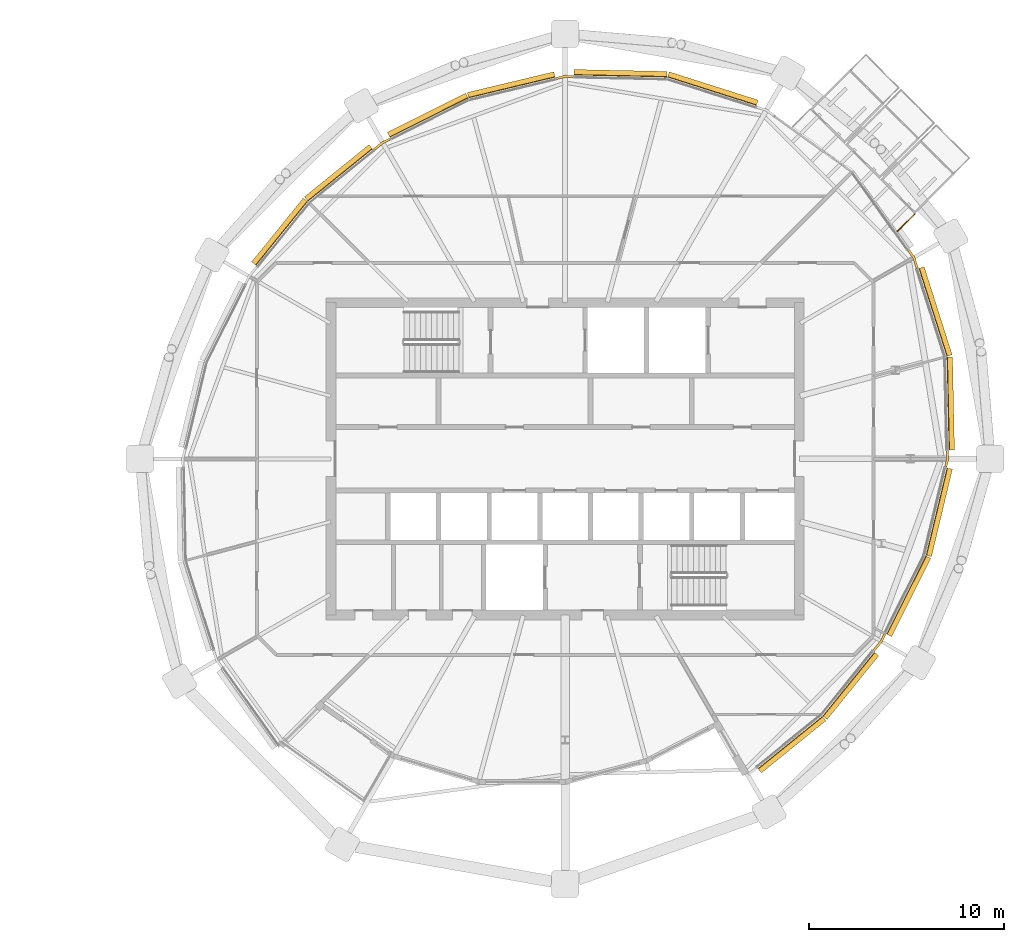
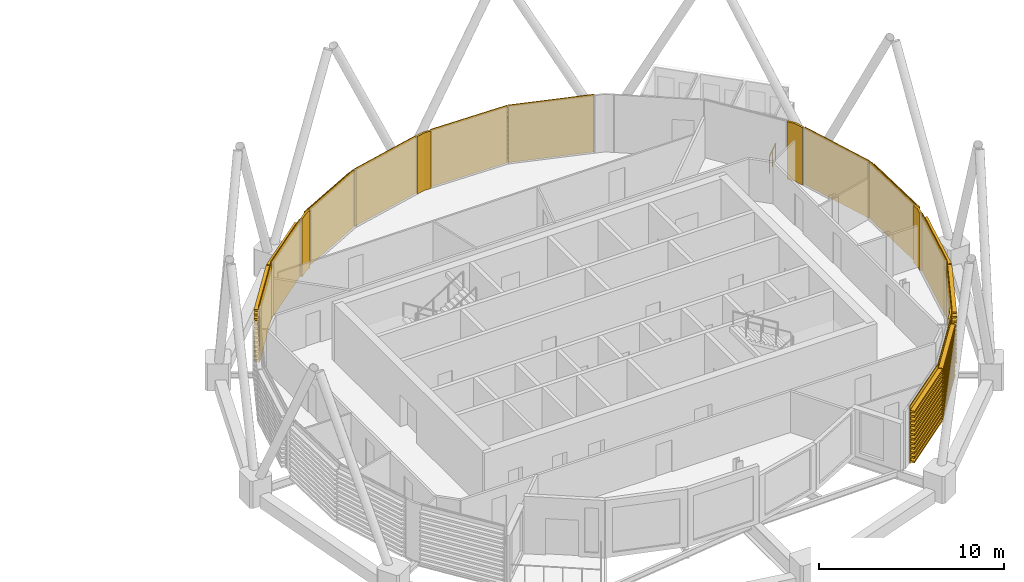
# One storey, part 33 of 34: 17 coverings, 1 railing.
"""IFC4 building model written with IfcOpenShell, lengths in metres."""

from ifc_helpers import new_model, si_unit, direction, frame, origin, origin_2d, place, context, subcontext, project, spatial, polyline, circle, outline, extrude, material, layer, layer_set, material_profile, profile_set, type_object, element, save


model = new_model("IFC4")

# Units and contexts
model_context = context("Model", 3, precision=1e-05, world=origin(), true_north=direction((0.0, 1.0)))
body_context = subcontext(model_context, "Body", "Model", "MODEL_VIEW")
ifc_project = project(units=[si_unit("LENGTHUNIT", "METRE"), si_unit("AREAUNIT", "SQUARE_METRE"), si_unit("VOLUMEUNIT", "CUBIC_METRE"), si_unit("PLANEANGLEUNIT", "RADIAN"), si_unit("MASSUNIT", "GRAM", prefix="KILO")], contexts=[model_context])

# Site, building, storey
site_placement = place(None, origin())
site = spatial("IfcSite", under=ifc_project, at=site_placement, CompositionType="ELEMENT")
building_placement = place(site_placement, origin())
building = spatial("IfcBuilding", under=site, at=building_placement, Name="Rimbun Link Towers", CompositionType="ELEMENT")
storey_placement = place(building_placement, frame((0.0, 0.0, 221.89990234375)))
storey = spatial("IfcBuildingStorey", under=building, at=storey_placement, Name="L54", CompositionType="ELEMENT", Elevation=221.89990234375)

# Railing
ifc_material_1 = material(Name="Stainless steel grade 316", Category="steel")
railing_type = type_object("IfcRailingType", Name="GUARD stainless rail and posts", PredefinedType="GUARDRAIL", material=ifc_material_1)
railing_placement = place(storey_placement, frame((49.66845703125, 12.54443359375, 0.0)))
element("IfcRailing", 1, at=railing_placement, inside=storey, type_object=railing_type, Name="GUARD D542 gallery", PredefinedType="GUARDRAIL", context=body_context, shape_type="SweptSolid", body=[
    extrude(circle(Radius=0.02392578125, at=origin_2d()), frame((0.0, 0.0, 1.076171875), z_axis=(-0.707106781187, -0.707106781187, 0.0), x_axis=(0.707106781187, -0.707106781187, 0.0)), (0.0, 0.0, 1.0), 1.272705078125),
    extrude(circle(Radius=0.02099609375, at=origin_2d()), origin(), (0.0, 0.0, 1.0), 1.052001953125),
    extrude(circle(Radius=0.02099609375, at=origin_2d()), frame((-0.449951171875, -0.449951171875, 0.0)), (0.0, 0.0, 1.0), 1.052001953125),
    extrude(circle(Radius=0.02099609375, at=origin_2d()), frame((-0.89990234375, -0.89990234375, 0.0)), (0.0, 0.0, 1.0), 1.052001953125),
])

# Coverings
ifc_material_2 = material(Name="Terracotta", Category="masonry")
ifc_layer = layer(ifc_material_2, 0.1201171875)
ifc_layer_set = layer_set([ifc_layer], Name="LINK PIER terracotta cladding 120")
covering_type_1 = type_object("IfcCoveringType", Name="LINK PIER terracotta cladding 120", PredefinedType="CLADDING", material=ifc_layer_set)
covering_1_placement = place(storey_placement, origin())
element("IfcCovering", 2, at=covering_1_placement, inside=storey, type_object=covering_type_1, Name="LINK PIER cladding", PredefinedType="CLADDING", context=body_context, shape_type="SweptSolid", body=[
    extrude(outline(polyline([(31.29296875, 19.427978515625), (31.75, 19.537353515625), (32.169921875, 19.528564453125), (32.17236328125, 19.6484375), (31.737060546875, 19.65771484375), (31.264892578125, 19.544677734375), (31.29296875, 19.427978515625)])), origin(), (0.0, 0.0, 1.0), 3.800048828125),
])
covering_2_placement = place(storey_placement, origin())
element("IfcCovering", 3, at=covering_2_placement, inside=storey, type_object=covering_type_1, Name="LINK PIER cladding", PredefinedType="CLADDING", context=body_context, shape_type="SweptSolid", body=[
    extrude(outline(polyline([(21.983154296875, 15.79052734375), (22.42626953125, 16.149169921875), (22.801513671875, 16.337646484375), (22.747802734375, 16.44482421875), (22.36083984375, 16.25048828125), (21.90771484375, 15.8837890625), (21.983154296875, 15.79052734375)])), origin(), (0.0, 0.0, 1.0), 3.800048828125),
])
covering_3_placement = place(storey_placement, origin())
element("IfcCovering", 4, at=covering_3_placement, inside=storey, type_object=covering_type_1, Name="LINK PIER cladding", PredefinedType="CLADDING", context=body_context, shape_type="SweptSolid", body=[
    extrude(outline(polyline([(48.087646484375, -8.948486328125), (47.899169921875, -9.32373046875), (47.509033203125, -9.8056640625), (47.602294921875, -9.881103515625), (48.00048828125, -9.38916015625), (48.19482421875, -9.002197265625), (48.087646484375, -8.948486328125)])), origin(), (0.0, 0.0, 1.0), 3.800048828125),
])
covering_4_placement = place(storey_placement, origin())
element("IfcCovering", 5, at=covering_4_placement, inside=storey, type_object=covering_type_1, Name="LINK PIER cladding", PredefinedType="CLADDING", context=body_context, shape_type="SweptSolid", body=[
    extrude(outline(polyline([(51.278564453125, 0.419921875), (51.287353515625, 0.0), (51.189697265625, -0.408447265625), (51.306396484375, -0.436279296875), (51.40771484375, -0.012939453125), (51.3984375, 0.42236328125), (51.278564453125, 0.419921875)])), origin(), (0.0, 0.0, 1.0), 3.800048828125),
])
covering_5_placement = place(storey_placement, origin())
element("IfcCovering", 6, at=covering_5_placement, inside=storey, type_object=covering_type_1, Name="LINK PIER cladding", PredefinedType="CLADDING", context=body_context, shape_type="SweptSolid", body=[
    extrude(outline(polyline([(49.28857421875, 10.666015625), (49.5625, 10.2841796875), (49.7353515625, 9.740966796875), (49.849609375, 9.77734375), (49.671142578125, 10.338623046875), (49.385986328125, 10.73583984375), (49.28857421875, 10.666015625)])), origin(), (0.0, 0.0, 1.0), 3.800048828125),
])
ifc_material_3 = material(Name="Terracotta", Category="masonry")
ifc_material_profile = material_profile(ifc_material_3, outline(polyline([(0.123046875, 0.0), (0.1630859375, 0.0), (0.1630859375, 0.10009765625), (0.423095703125, 0.10009765625), (0.423095703125, 0.219970703125), (0.1630859375, 0.219970703125), (0.1630859375, 0.39990234375), (0.423095703125, 0.39990234375), (0.423095703125, 0.52001953125), (0.1630859375, 0.52001953125), (0.1630859375, 0.699951171875), (0.423095703125, 0.699951171875), (0.423095703125, 0.820068359375), (0.1630859375, 0.820068359375), (0.1630859375, 1.0), (0.423095703125, 1.0), (0.423095703125, 1.1201171875), (0.1630859375, 1.1201171875), (0.1630859375, 1.300048828125), (0.423095703125, 1.300048828125), (0.423095703125, 1.419921875), (0.1630859375, 1.419921875), (0.1630859375, 1.60009765625), (0.423095703125, 1.60009765625), (0.423095703125, 1.719970703125), (0.1630859375, 1.719970703125), (0.1630859375, 1.89990234375), (0.423095703125, 1.89990234375), (0.423095703125, 2.02001953125), (0.1630859375, 2.02001953125), (0.1630859375, 2.199951171875), (0.423095703125, 2.199951171875), (0.423095703125, 2.320068359375), (0.1630859375, 2.320068359375), (0.1630859375, 2.5), (0.423095703125, 2.5), (0.423095703125, 2.6201171875), (0.1630859375, 2.6201171875), (0.1630859375, 2.800048828125), (0.423095703125, 2.800048828125), (0.423095703125, 2.919921875), (0.1630859375, 2.919921875), (0.1630859375, 3.10009765625), (0.423095703125, 3.10009765625), (0.423095703125, 3.219970703125), (0.1630859375, 3.219970703125), (0.1630859375, 3.39990234375), (0.423095703125, 3.39990234375), (0.423095703125, 3.52001953125), (0.1630859375, 3.52001953125), (0.1630859375, 3.800048828125), (0.123046875, 3.800048828125), (0.123046875, 0.0)])), Name="BAGUETTE 120X300")
ifc_profile_set = profile_set([ifc_material_profile], Name="Terracotta")
covering_type_2 = type_object("IfcCoveringType", Name="TERRACOTTA BAGUETTE 120X300 H3800", PredefinedType="CLADDING", material=ifc_profile_set)
covering_6_placement = place(storey_placement, frame((36.95556640625, 19.427490234375, 0.0), z_axis=(0.952980107811, -0.303032859798, 0.0), x_axis=(0.303032859798, 0.952980107811, 0.0)))
element("IfcCovering", 7, at=covering_6_placement, inside=storey, type_object=covering_type_2, Name="TERRACOTTA BAGUETTE", PredefinedType="CLADDING", context=body_context, shape_type="SweptSolid", body=[
    extrude(outline(polyline([(0.123046875, 0.0), (0.1630859375, 0.0), (0.1630859375, 0.10009765625), (0.423095703125, 0.10009765625), (0.423095703125, 0.219970703125), (0.1630859375, 0.219970703125), (0.1630859375, 0.39990234375), (0.423095703125, 0.39990234375), (0.423095703125, 0.52001953125), (0.1630859375, 0.52001953125), (0.1630859375, 0.699951171875), (0.423095703125, 0.699951171875), (0.423095703125, 0.820068359375), (0.1630859375, 0.820068359375), (0.1630859375, 1.0), (0.423095703125, 1.0), (0.423095703125, 1.1201171875), (0.1630859375, 1.1201171875), (0.1630859375, 1.300048828125), (0.423095703125, 1.300048828125), (0.423095703125, 1.419921875), (0.1630859375, 1.419921875), (0.1630859375, 1.60009765625), (0.423095703125, 1.60009765625), (0.423095703125, 1.719970703125), (0.1630859375, 1.719970703125), (0.1630859375, 1.89990234375), (0.423095703125, 1.89990234375), (0.423095703125, 2.02001953125), (0.1630859375, 2.02001953125), (0.1630859375, 2.199951171875), (0.423095703125, 2.199951171875), (0.423095703125, 2.320068359375), (0.1630859375, 2.320068359375), (0.1630859375, 2.5), (0.423095703125, 2.5), (0.423095703125, 2.6201171875), (0.1630859375, 2.6201171875), (0.1630859375, 2.800048828125), (0.423095703125, 2.800048828125), (0.423095703125, 2.919921875), (0.1630859375, 2.919921875), (0.1630859375, 3.10009765625), (0.423095703125, 3.10009765625), (0.423095703125, 3.219970703125), (0.1630859375, 3.219970703125), (0.1630859375, 3.39990234375), (0.423095703125, 3.39990234375), (0.423095703125, 3.52001953125), (0.1630859375, 3.52001953125), (0.1630859375, 3.800048828125), (0.123046875, 3.800048828125), (0.123046875, 0.0)])), origin(), (0.0, 0.0, 1.0), 4.779052734375),
])
covering_7_placement = place(storey_placement, frame((32.199951171875, 19.52783203125, 0.0), z_axis=(0.999777476771, -0.021094950611, 0.0), x_axis=(0.021094950611, 0.999777476771, 0.0)))
element("IfcCovering", 8, at=covering_7_placement, inside=storey, type_object=covering_type_2, Name="TERRACOTTA BAGUETTE", PredefinedType="CLADDING", context=body_context, shape_type="SweptSolid", body=[
    extrude(outline(polyline([(0.123046875, 0.0), (0.1630859375, 0.0), (0.1630859375, 0.10009765625), (0.423095703125, 0.10009765625), (0.423095703125, 0.219970703125), (0.1630859375, 0.219970703125), (0.1630859375, 0.39990234375), (0.423095703125, 0.39990234375), (0.423095703125, 0.52001953125), (0.1630859375, 0.52001953125), (0.1630859375, 0.699951171875), (0.423095703125, 0.699951171875), (0.423095703125, 0.820068359375), (0.1630859375, 0.820068359375), (0.1630859375, 1.0), (0.423095703125, 1.0), (0.423095703125, 1.1201171875), (0.1630859375, 1.1201171875), (0.1630859375, 1.300048828125), (0.423095703125, 1.300048828125), (0.423095703125, 1.419921875), (0.1630859375, 1.419921875), (0.1630859375, 1.60009765625), (0.423095703125, 1.60009765625), (0.423095703125, 1.719970703125), (0.1630859375, 1.719970703125), (0.1630859375, 1.89990234375), (0.423095703125, 1.89990234375), (0.423095703125, 2.02001953125), (0.1630859375, 2.02001953125), (0.1630859375, 2.199951171875), (0.423095703125, 2.199951171875), (0.423095703125, 2.320068359375), (0.1630859375, 2.320068359375), (0.1630859375, 2.5), (0.423095703125, 2.5), (0.423095703125, 2.6201171875), (0.1630859375, 2.6201171875), (0.1630859375, 2.800048828125), (0.423095703125, 2.800048828125), (0.423095703125, 2.919921875), (0.1630859375, 2.919921875), (0.1630859375, 3.10009765625), (0.423095703125, 3.10009765625), (0.423095703125, 3.219970703125), (0.1630859375, 3.219970703125), (0.1630859375, 3.39990234375), (0.423095703125, 3.39990234375), (0.423095703125, 3.52001953125), (0.1630859375, 3.52001953125), (0.1630859375, 3.800048828125), (0.123046875, 3.800048828125), (0.123046875, 0.0)])), origin(), (0.0, 0.0, 1.0), 4.756591796875),
])
covering_8_placement = place(storey_placement, frame((26.830322265625, 18.360595703125, 0.0), z_axis=(0.972571253578, 0.232605151952, 0.0), x_axis=(-0.232605151952, 0.972571253578, 0.0)))
element("IfcCovering", 9, at=covering_8_placement, inside=storey, type_object=covering_type_2, Name="TERRACOTTA BAGUETTE", PredefinedType="CLADDING", context=body_context, shape_type="SweptSolid", body=[
    extrude(outline(polyline([(0.123046875, 0.0), (0.1630859375, 0.0), (0.1630859375, 0.10009765625), (0.423095703125, 0.10009765625), (0.423095703125, 0.219970703125), (0.1630859375, 0.219970703125), (0.1630859375, 0.39990234375), (0.423095703125, 0.39990234375), (0.423095703125, 0.52001953125), (0.1630859375, 0.52001953125), (0.1630859375, 0.699951171875), (0.423095703125, 0.699951171875), (0.423095703125, 0.820068359375), (0.1630859375, 0.820068359375), (0.1630859375, 1.0), (0.423095703125, 1.0), (0.423095703125, 1.1201171875), (0.1630859375, 1.1201171875), (0.1630859375, 1.300048828125), (0.423095703125, 1.300048828125), (0.423095703125, 1.419921875), (0.1630859375, 1.419921875), (0.1630859375, 1.60009765625), (0.423095703125, 1.60009765625), (0.423095703125, 1.719970703125), (0.1630859375, 1.719970703125), (0.1630859375, 1.89990234375), (0.423095703125, 1.89990234375), (0.423095703125, 2.02001953125), (0.1630859375, 2.02001953125), (0.1630859375, 2.199951171875), (0.423095703125, 2.199951171875), (0.423095703125, 2.320068359375), (0.1630859375, 2.320068359375), (0.1630859375, 2.5), (0.423095703125, 2.5), (0.423095703125, 2.6201171875), (0.1630859375, 2.6201171875), (0.1630859375, 2.800048828125), (0.423095703125, 2.800048828125), (0.423095703125, 2.919921875), (0.1630859375, 2.919921875), (0.1630859375, 3.10009765625), (0.423095703125, 3.10009765625), (0.423095703125, 3.219970703125), (0.1630859375, 3.219970703125), (0.1630859375, 3.39990234375), (0.423095703125, 3.39990234375), (0.423095703125, 3.52001953125), (0.1630859375, 3.52001953125), (0.1630859375, 3.800048828125), (0.123046875, 3.800048828125), (0.123046875, 0.0)])), origin(), (0.0, 0.0, 1.0), 4.558349609375),
])
covering_9_placement = place(storey_placement, frame((22.828369140625, 16.35107421875, 0.0), z_axis=(0.893662633304, 0.44873945429, 0.0), x_axis=(-0.44873945429, 0.893662633304, 0.0)))
element("IfcCovering", 10, at=covering_9_placement, inside=storey, type_object=covering_type_2, Name="TERRACOTTA BAGUETTE", PredefinedType="CLADDING", context=body_context, shape_type="SweptSolid", body=[
    extrude(outline(polyline([(0.123046875, 0.0), (0.1630859375, 0.0), (0.1630859375, 0.10009765625), (0.423095703125, 0.10009765625), (0.423095703125, 0.219970703125), (0.1630859375, 0.219970703125), (0.1630859375, 0.39990234375), (0.423095703125, 0.39990234375), (0.423095703125, 0.52001953125), (0.1630859375, 0.52001953125), (0.1630859375, 0.699951171875), (0.423095703125, 0.699951171875), (0.423095703125, 0.820068359375), (0.1630859375, 0.820068359375), (0.1630859375, 1.0), (0.423095703125, 1.0), (0.423095703125, 1.1201171875), (0.1630859375, 1.1201171875), (0.1630859375, 1.300048828125), (0.423095703125, 1.300048828125), (0.423095703125, 1.419921875), (0.1630859375, 1.419921875), (0.1630859375, 1.60009765625), (0.423095703125, 1.60009765625), (0.423095703125, 1.719970703125), (0.1630859375, 1.719970703125), (0.1630859375, 1.89990234375), (0.423095703125, 1.89990234375), (0.423095703125, 2.02001953125), (0.1630859375, 2.02001953125), (0.1630859375, 2.199951171875), (0.423095703125, 2.199951171875), (0.423095703125, 2.320068359375), (0.1630859375, 2.320068359375), (0.1630859375, 2.5), (0.423095703125, 2.5), (0.423095703125, 2.6201171875), (0.1630859375, 2.6201171875), (0.1630859375, 2.800048828125), (0.423095703125, 2.800048828125), (0.423095703125, 2.919921875), (0.1630859375, 2.919921875), (0.1630859375, 3.10009765625), (0.423095703125, 3.10009765625), (0.423095703125, 3.219970703125), (0.1630859375, 3.219970703125), (0.1630859375, 3.39990234375), (0.423095703125, 3.39990234375), (0.423095703125, 3.52001953125), (0.1630859375, 3.52001953125), (0.1630859375, 3.800048828125), (0.123046875, 3.800048828125), (0.123046875, 0.0)])), origin(), (0.0, 0.0, 1.0), 4.47802734375),
])
covering_10_placement = place(storey_placement, frame((18.654296875, 13.095703125, 0.0), z_axis=(0.777271606853, 0.62916520023, 0.0), x_axis=(-0.62916520023, 0.777271606853, 0.0)))
element("IfcCovering", 11, at=covering_10_placement, inside=storey, type_object=covering_type_2, Name="TERRACOTTA BAGUETTE", PredefinedType="CLADDING", context=body_context, shape_type="SweptSolid", body=[
    extrude(outline(polyline([(0.123046875, 0.0), (0.1630859375, 0.0), (0.1630859375, 0.10009765625), (0.423095703125, 0.10009765625), (0.423095703125, 0.219970703125), (0.1630859375, 0.219970703125), (0.1630859375, 0.39990234375), (0.423095703125, 0.39990234375), (0.423095703125, 0.52001953125), (0.1630859375, 0.52001953125), (0.1630859375, 0.699951171875), (0.423095703125, 0.699951171875), (0.423095703125, 0.820068359375), (0.1630859375, 0.820068359375), (0.1630859375, 1.0), (0.423095703125, 1.0), (0.423095703125, 1.1201171875), (0.1630859375, 1.1201171875), (0.1630859375, 1.300048828125), (0.423095703125, 1.300048828125), (0.423095703125, 1.419921875), (0.1630859375, 1.419921875), (0.1630859375, 1.60009765625), (0.423095703125, 1.60009765625), (0.423095703125, 1.719970703125), (0.1630859375, 1.719970703125), (0.1630859375, 1.89990234375), (0.423095703125, 1.89990234375), (0.423095703125, 2.02001953125), (0.1630859375, 2.02001953125), (0.1630859375, 2.199951171875), (0.423095703125, 2.199951171875), (0.423095703125, 2.320068359375), (0.1630859375, 2.320068359375), (0.1630859375, 2.5), (0.423095703125, 2.5), (0.423095703125, 2.6201171875), (0.1630859375, 2.6201171875), (0.1630859375, 2.800048828125), (0.423095703125, 2.800048828125), (0.423095703125, 2.919921875), (0.1630859375, 2.919921875), (0.1630859375, 3.10009765625), (0.423095703125, 3.10009765625), (0.423095703125, 3.219970703125), (0.1630859375, 3.219970703125), (0.1630859375, 3.39990234375), (0.423095703125, 3.39990234375), (0.423095703125, 3.52001953125), (0.1630859375, 3.52001953125), (0.1630859375, 3.800048828125), (0.123046875, 3.800048828125), (0.123046875, 0.0)])), origin(), (0.0, 0.0, 1.0), 4.2529296875),
])
covering_11_placement = place(storey_placement, frame((16.009765625, 9.828857421875, 0.0), z_axis=(0.629189873765, 0.777251634126, 0.0), x_axis=(-0.777251634126, 0.629189873765, 0.0)))
element("IfcCovering", 12, at=covering_11_placement, inside=storey, type_object=covering_type_2, Name="TERRACOTTA BAGUETTE", PredefinedType="CLADDING", context=body_context, shape_type="SweptSolid", body=[
    extrude(outline(polyline([(0.123046875, 0.0), (0.1630859375, 0.0), (0.1630859375, 0.10009765625), (0.423095703125, 0.10009765625), (0.423095703125, 0.219970703125), (0.1630859375, 0.219970703125), (0.1630859375, 0.39990234375), (0.423095703125, 0.39990234375), (0.423095703125, 0.52001953125), (0.1630859375, 0.52001953125), (0.1630859375, 0.699951171875), (0.423095703125, 0.699951171875), (0.423095703125, 0.820068359375), (0.1630859375, 0.820068359375), (0.1630859375, 1.0), (0.423095703125, 1.0), (0.423095703125, 1.1201171875), (0.1630859375, 1.1201171875), (0.1630859375, 1.300048828125), (0.423095703125, 1.300048828125), (0.423095703125, 1.419921875), (0.1630859375, 1.419921875), (0.1630859375, 1.60009765625), (0.423095703125, 1.60009765625), (0.423095703125, 1.719970703125), (0.1630859375, 1.719970703125), (0.1630859375, 1.89990234375), (0.423095703125, 1.89990234375), (0.423095703125, 2.02001953125), (0.1630859375, 2.02001953125), (0.1630859375, 2.199951171875), (0.423095703125, 2.199951171875), (0.423095703125, 2.320068359375), (0.1630859375, 2.320068359375), (0.1630859375, 2.5), (0.423095703125, 2.5), (0.423095703125, 2.6201171875), (0.1630859375, 2.6201171875), (0.1630859375, 2.800048828125), (0.423095703125, 2.800048828125), (0.423095703125, 2.919921875), (0.1630859375, 2.919921875), (0.1630859375, 3.10009765625), (0.423095703125, 3.10009765625), (0.423095703125, 3.219970703125), (0.1630859375, 3.219970703125), (0.1630859375, 3.39990234375), (0.423095703125, 3.39990234375), (0.423095703125, 3.52001953125), (0.1630859375, 3.52001953125), (0.1630859375, 3.800048828125), (0.123046875, 3.800048828125), (0.123046875, 0.0)])), origin(), (0.0, 0.0, 1.0), 4.203125),
])
covering_12_placement = place(storey_placement, frame((44.845703125, -13.095703125, 0.0), z_axis=(-0.777271606853, -0.62916520023, 0.0), x_axis=(0.62916520023, -0.777271606853, 0.0)))
element("IfcCovering", 13, at=covering_12_placement, inside=storey, type_object=covering_type_2, Name="TERRACOTTA BAGUETTE", PredefinedType="CLADDING", context=body_context, shape_type="SweptSolid", body=[
    extrude(outline(polyline([(0.123046875, 0.0), (0.1630859375, 0.0), (0.1630859375, 0.10009765625), (0.423095703125, 0.10009765625), (0.423095703125, 0.219970703125), (0.1630859375, 0.219970703125), (0.1630859375, 0.39990234375), (0.423095703125, 0.39990234375), (0.423095703125, 0.52001953125), (0.1630859375, 0.52001953125), (0.1630859375, 0.699951171875), (0.423095703125, 0.699951171875), (0.423095703125, 0.820068359375), (0.1630859375, 0.820068359375), (0.1630859375, 1.0), (0.423095703125, 1.0), (0.423095703125, 1.1201171875), (0.1630859375, 1.1201171875), (0.1630859375, 1.300048828125), (0.423095703125, 1.300048828125), (0.423095703125, 1.419921875), (0.1630859375, 1.419921875), (0.1630859375, 1.60009765625), (0.423095703125, 1.60009765625), (0.423095703125, 1.719970703125), (0.1630859375, 1.719970703125), (0.1630859375, 1.89990234375), (0.423095703125, 1.89990234375), (0.423095703125, 2.02001953125), (0.1630859375, 2.02001953125), (0.1630859375, 2.199951171875), (0.423095703125, 2.199951171875), (0.423095703125, 2.320068359375), (0.1630859375, 2.320068359375), (0.1630859375, 2.5), (0.423095703125, 2.5), (0.423095703125, 2.6201171875), (0.1630859375, 2.6201171875), (0.1630859375, 2.800048828125), (0.423095703125, 2.800048828125), (0.423095703125, 2.919921875), (0.1630859375, 2.919921875), (0.1630859375, 3.10009765625), (0.423095703125, 3.10009765625), (0.423095703125, 3.219970703125), (0.1630859375, 3.219970703125), (0.1630859375, 3.39990234375), (0.423095703125, 3.39990234375), (0.423095703125, 3.52001953125), (0.1630859375, 3.52001953125), (0.1630859375, 3.800048828125), (0.123046875, 3.800048828125), (0.123046875, 0.0)])), origin(), (0.0, 0.0, 1.0), 4.2529296875),
])
covering_13_placement = place(storey_placement, frame((47.490234375, -9.828857421875, 0.0), z_axis=(-0.629189873765, -0.777251634126, 0.0), x_axis=(0.777251634126, -0.629189873765, 0.0)))
element("IfcCovering", 14, at=covering_13_placement, inside=storey, type_object=covering_type_2, Name="TERRACOTTA BAGUETTE", PredefinedType="CLADDING", context=body_context, shape_type="SweptSolid", body=[
    extrude(outline(polyline([(0.123046875, 0.0), (0.1630859375, 0.0), (0.1630859375, 0.10009765625), (0.423095703125, 0.10009765625), (0.423095703125, 0.219970703125), (0.1630859375, 0.219970703125), (0.1630859375, 0.39990234375), (0.423095703125, 0.39990234375), (0.423095703125, 0.52001953125), (0.1630859375, 0.52001953125), (0.1630859375, 0.699951171875), (0.423095703125, 0.699951171875), (0.423095703125, 0.820068359375), (0.1630859375, 0.820068359375), (0.1630859375, 1.0), (0.423095703125, 1.0), (0.423095703125, 1.1201171875), (0.1630859375, 1.1201171875), (0.1630859375, 1.300048828125), (0.423095703125, 1.300048828125), (0.423095703125, 1.419921875), (0.1630859375, 1.419921875), (0.1630859375, 1.60009765625), (0.423095703125, 1.60009765625), (0.423095703125, 1.719970703125), (0.1630859375, 1.719970703125), (0.1630859375, 1.89990234375), (0.423095703125, 1.89990234375), (0.423095703125, 2.02001953125), (0.1630859375, 2.02001953125), (0.1630859375, 2.199951171875), (0.423095703125, 2.199951171875), (0.423095703125, 2.320068359375), (0.1630859375, 2.320068359375), (0.1630859375, 2.5), (0.423095703125, 2.5), (0.423095703125, 2.6201171875), (0.1630859375, 2.6201171875), (0.1630859375, 2.800048828125), (0.423095703125, 2.800048828125), (0.423095703125, 2.919921875), (0.1630859375, 2.919921875), (0.1630859375, 3.10009765625), (0.423095703125, 3.10009765625), (0.423095703125, 3.219970703125), (0.1630859375, 3.219970703125), (0.1630859375, 3.39990234375), (0.423095703125, 3.39990234375), (0.423095703125, 3.52001953125), (0.1630859375, 3.52001953125), (0.1630859375, 3.800048828125), (0.123046875, 3.800048828125), (0.123046875, 0.0)])), origin(), (0.0, 0.0, 1.0), 4.203125),
])
covering_14_placement = place(storey_placement, frame((50.110595703125, -4.919677734375, 0.0), z_axis=(-0.44873945429, -0.893662633304, 0.0), x_axis=(0.893662633304, -0.44873945429, 0.0)))
element("IfcCovering", 15, at=covering_14_placement, inside=storey, type_object=covering_type_2, Name="TERRACOTTA BAGUETTE", PredefinedType="CLADDING", context=body_context, shape_type="SweptSolid", body=[
    extrude(outline(polyline([(0.123046875, 0.0), (0.1630859375, 0.0), (0.1630859375, 0.10009765625), (0.423095703125, 0.10009765625), (0.423095703125, 0.219970703125), (0.1630859375, 0.219970703125), (0.1630859375, 0.39990234375), (0.423095703125, 0.39990234375), (0.423095703125, 0.52001953125), (0.1630859375, 0.52001953125), (0.1630859375, 0.699951171875), (0.423095703125, 0.699951171875), (0.423095703125, 0.820068359375), (0.1630859375, 0.820068359375), (0.1630859375, 1.0), (0.423095703125, 1.0), (0.423095703125, 1.1201171875), (0.1630859375, 1.1201171875), (0.1630859375, 1.300048828125), (0.423095703125, 1.300048828125), (0.423095703125, 1.419921875), (0.1630859375, 1.419921875), (0.1630859375, 1.60009765625), (0.423095703125, 1.60009765625), (0.423095703125, 1.719970703125), (0.1630859375, 1.719970703125), (0.1630859375, 1.89990234375), (0.423095703125, 1.89990234375), (0.423095703125, 2.02001953125), (0.1630859375, 2.02001953125), (0.1630859375, 2.199951171875), (0.423095703125, 2.199951171875), (0.423095703125, 2.320068359375), (0.1630859375, 2.320068359375), (0.1630859375, 2.5), (0.423095703125, 2.5), (0.423095703125, 2.6201171875), (0.1630859375, 2.6201171875), (0.1630859375, 2.800048828125), (0.423095703125, 2.800048828125), (0.423095703125, 2.919921875), (0.1630859375, 2.919921875), (0.1630859375, 3.10009765625), (0.423095703125, 3.10009765625), (0.423095703125, 3.219970703125), (0.1630859375, 3.219970703125), (0.1630859375, 3.39990234375), (0.423095703125, 3.39990234375), (0.423095703125, 3.52001953125), (0.1630859375, 3.52001953125), (0.1630859375, 3.800048828125), (0.123046875, 3.800048828125), (0.123046875, 0.0)])), origin(), (0.0, 0.0, 1.0), 4.47802734375),
])
covering_15_placement = place(storey_placement, frame((51.1826171875, -0.437744140625, 0.0), z_axis=(-0.232625503889, -0.972566385878, 0.0), x_axis=(0.972566385878, -0.232625503889, 0.0)))
element("IfcCovering", 16, at=covering_15_placement, inside=storey, type_object=covering_type_2, Name="TERRACOTTA BAGUETTE", PredefinedType="CLADDING", context=body_context, shape_type="SweptSolid", body=[
    extrude(outline(polyline([(0.123046875, 0.0), (0.1630859375, 0.0), (0.1630859375, 0.10009765625), (0.423095703125, 0.10009765625), (0.423095703125, 0.219970703125), (0.1630859375, 0.219970703125), (0.1630859375, 0.39990234375), (0.423095703125, 0.39990234375), (0.423095703125, 0.52001953125), (0.1630859375, 0.52001953125), (0.1630859375, 0.699951171875), (0.423095703125, 0.699951171875), (0.423095703125, 0.820068359375), (0.1630859375, 0.820068359375), (0.1630859375, 1.0), (0.423095703125, 1.0), (0.423095703125, 1.1201171875), (0.1630859375, 1.1201171875), (0.1630859375, 1.300048828125), (0.423095703125, 1.300048828125), (0.423095703125, 1.419921875), (0.1630859375, 1.419921875), (0.1630859375, 1.60009765625), (0.423095703125, 1.60009765625), (0.423095703125, 1.719970703125), (0.1630859375, 1.719970703125), (0.1630859375, 1.89990234375), (0.423095703125, 1.89990234375), (0.423095703125, 2.02001953125), (0.1630859375, 2.02001953125), (0.1630859375, 2.199951171875), (0.423095703125, 2.199951171875), (0.423095703125, 2.320068359375), (0.1630859375, 2.320068359375), (0.1630859375, 2.5), (0.423095703125, 2.5), (0.423095703125, 2.6201171875), (0.1630859375, 2.6201171875), (0.1630859375, 2.800048828125), (0.423095703125, 2.800048828125), (0.423095703125, 2.919921875), (0.1630859375, 2.919921875), (0.1630859375, 3.10009765625), (0.423095703125, 3.10009765625), (0.423095703125, 3.219970703125), (0.1630859375, 3.219970703125), (0.1630859375, 3.39990234375), (0.423095703125, 3.39990234375), (0.423095703125, 3.52001953125), (0.1630859375, 3.52001953125), (0.1630859375, 3.800048828125), (0.123046875, 3.800048828125), (0.123046875, 0.0)])), origin(), (0.0, 0.0, 1.0), 4.6083984375),
])
covering_16_placement = place(storey_placement, frame((51.177490234375, 5.20556640625, 0.0), z_axis=(0.021094950611, -0.999777476771, 0.0), x_axis=(0.999777476771, 0.021094950611, 0.0)))
element("IfcCovering", 17, at=covering_16_placement, inside=storey, type_object=covering_type_2, Name="TERRACOTTA BAGUETTE", PredefinedType="CLADDING", context=body_context, shape_type="SweptSolid", body=[
    extrude(outline(polyline([(0.123046875, 0.0), (0.1630859375, 0.0), (0.1630859375, 0.10009765625), (0.423095703125, 0.10009765625), (0.423095703125, 0.219970703125), (0.1630859375, 0.219970703125), (0.1630859375, 0.39990234375), (0.423095703125, 0.39990234375), (0.423095703125, 0.52001953125), (0.1630859375, 0.52001953125), (0.1630859375, 0.699951171875), (0.423095703125, 0.699951171875), (0.423095703125, 0.820068359375), (0.1630859375, 0.820068359375), (0.1630859375, 1.0), (0.423095703125, 1.0), (0.423095703125, 1.1201171875), (0.1630859375, 1.1201171875), (0.1630859375, 1.300048828125), (0.423095703125, 1.300048828125), (0.423095703125, 1.419921875), (0.1630859375, 1.419921875), (0.1630859375, 1.60009765625), (0.423095703125, 1.60009765625), (0.423095703125, 1.719970703125), (0.1630859375, 1.719970703125), (0.1630859375, 1.89990234375), (0.423095703125, 1.89990234375), (0.423095703125, 2.02001953125), (0.1630859375, 2.02001953125), (0.1630859375, 2.199951171875), (0.423095703125, 2.199951171875), (0.423095703125, 2.320068359375), (0.1630859375, 2.320068359375), (0.1630859375, 2.5), (0.423095703125, 2.5), (0.423095703125, 2.6201171875), (0.1630859375, 2.6201171875), (0.1630859375, 2.800048828125), (0.423095703125, 2.800048828125), (0.423095703125, 2.919921875), (0.1630859375, 2.919921875), (0.1630859375, 3.10009765625), (0.423095703125, 3.10009765625), (0.423095703125, 3.219970703125), (0.1630859375, 3.219970703125), (0.1630859375, 3.39990234375), (0.423095703125, 3.39990234375), (0.423095703125, 3.52001953125), (0.1630859375, 3.52001953125), (0.1630859375, 3.800048828125), (0.123046875, 3.800048828125), (0.123046875, 0.0)])), origin(), (0.0, 0.0, 1.0), 4.756591796875),
])
covering_17_placement = place(storey_placement, frame((49.744384765625, 9.71240234375, 0.0), z_axis=(0.303033186512, -0.952980003921, 0.0), x_axis=(0.952980003921, 0.303033186512, 0.0)))
element("IfcCovering", 18, at=covering_17_placement, inside=storey, type_object=covering_type_2, Name="TERRACOTTA BAGUETTE", PredefinedType="CLADDING", context=body_context, shape_type="SweptSolid", body=[
    extrude(outline(polyline([(0.123046875, 0.0), (0.1630859375, 0.0), (0.1630859375, 0.10009765625), (0.423095703125, 0.10009765625), (0.423095703125, 0.219970703125), (0.1630859375, 0.219970703125), (0.1630859375, 0.39990234375), (0.423095703125, 0.39990234375), (0.423095703125, 0.52001953125), (0.1630859375, 0.52001953125), (0.1630859375, 0.699951171875), (0.423095703125, 0.699951171875), (0.423095703125, 0.820068359375), (0.1630859375, 0.820068359375), (0.1630859375, 1.0), (0.423095703125, 1.0), (0.423095703125, 1.1201171875), (0.1630859375, 1.1201171875), (0.1630859375, 1.300048828125), (0.423095703125, 1.300048828125), (0.423095703125, 1.419921875), (0.1630859375, 1.419921875), (0.1630859375, 1.60009765625), (0.423095703125, 1.60009765625), (0.423095703125, 1.719970703125), (0.1630859375, 1.719970703125), (0.1630859375, 1.89990234375), (0.423095703125, 1.89990234375), (0.423095703125, 2.02001953125), (0.1630859375, 2.02001953125), (0.1630859375, 2.199951171875), (0.423095703125, 2.199951171875), (0.423095703125, 2.320068359375), (0.1630859375, 2.320068359375), (0.1630859375, 2.5), (0.423095703125, 2.5), (0.423095703125, 2.6201171875), (0.1630859375, 2.6201171875), (0.1630859375, 2.800048828125), (0.423095703125, 2.800048828125), (0.423095703125, 2.919921875), (0.1630859375, 2.919921875), (0.1630859375, 3.10009765625), (0.423095703125, 3.10009765625), (0.423095703125, 3.219970703125), (0.1630859375, 3.219970703125), (0.1630859375, 3.39990234375), (0.423095703125, 3.39990234375), (0.423095703125, 3.52001953125), (0.1630859375, 3.52001953125), (0.1630859375, 3.800048828125), (0.123046875, 3.800048828125), (0.123046875, 0.0)])), origin(), (0.0, 0.0, 1.0), 4.729248046875),
])

save(model, "model.ifc")
